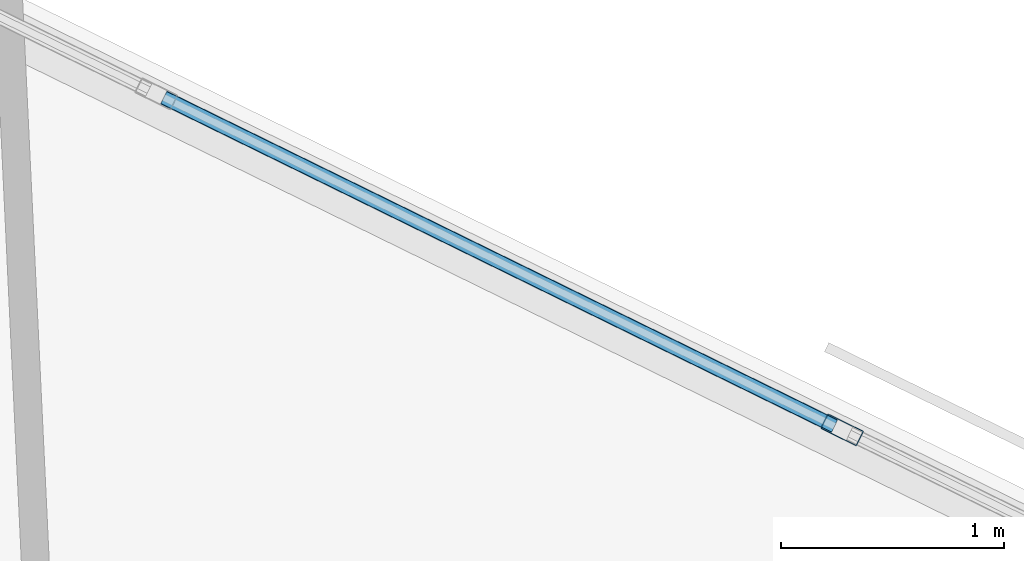
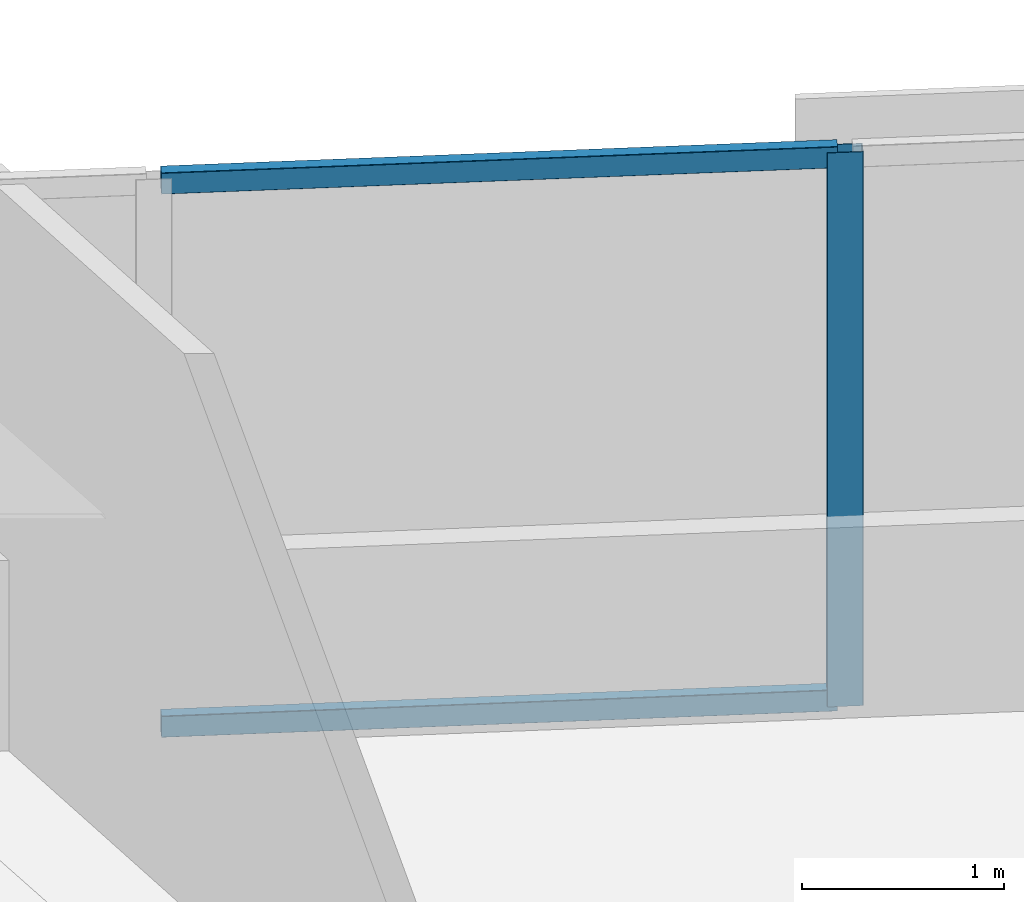
# One storey, part 11 of 18: 3 members, 1 element without a shape of its own.
"""IFC4 building model written with IfcOpenShell, lengths in metres."""

from ifc_helpers import new_model, si_unit, direction, frame, origin, origin_2d, place, context, subcontext, project, spatial, hollow_rectangle, extrude, material, material_profile, profile_set, type_object, element, aggregate, save


model = new_model("IFC4")

# Units and contexts
model_context = context("Model", 3, precision=1e-05, world=origin(), true_north=direction((0.0, 1.0)))
body_context = subcontext(model_context, "Body", "Model", "MODEL_VIEW")
ifc_project = project(units=[si_unit("LENGTHUNIT", "METRE"), si_unit("AREAUNIT", "SQUARE_METRE"), si_unit("VOLUMEUNIT", "CUBIC_METRE"), si_unit("PLANEANGLEUNIT", "RADIAN"), si_unit("MASSUNIT", "GRAM", prefix="KILO")], contexts=[model_context])

# Site, building, storey
site_placement = place(None, origin())
site = spatial("IfcSite", under=ifc_project, at=site_placement, CompositionType="ELEMENT")
building_placement = place(site_placement, origin())
building = spatial("IfcBuilding", under=site, at=building_placement, Name="Narakoshi Arena Tower", CompositionType="ELEMENT")
storey_placement = place(building_placement, frame((0.0, 0.0, 106.5)))
storey = spatial("IfcBuildingStorey", under=building, at=storey_placement, Name="L28", CompositionType="ELEMENT", Elevation=106.5)

# Curtain wall, members
ifc_material = material(Name="Anodised bronze aluminium 6063-T6", Category="aluminium")
curtain_wall_type = type_object("IfcCurtainWallType", Name="CW-HYP-LOW", PredefinedType="NOTDEFINED", material=ifc_material)
curtain_wall_placement = place(storey_placement, origin())
curtain_wall = element("IfcCurtainWall", 1, at=curtain_wall_placement, inside=storey, type_object=curtain_wall_type, Name="L28 Folded Hypotenuse Curtain Wall 2-1", PredefinedType="NOTDEFINED")
ifc_material_profile_1 = material_profile(ifc_material, hollow_rectangle(XDim=0.074951171875, YDim=0.179931640625, WallThickness=0.00390625, OuterFilletRadius=0.0048828125, at=origin_2d()), Name="MUL180x75x4")
ifc_profile_set_1 = profile_set([ifc_material_profile_1], Name="Anodised bronze aluminium 6063-T6")
member_type_1 = type_object("IfcMemberType", Name="MEM-MUL-180", PredefinedType="MULLION", material=ifc_profile_set_1)
member_1_placement = place(storey_placement, frame((81.486083984375, 65.51025390625, 0.0), z_axis=(0.0, 0.0, 1.0), x_axis=(-0.440004510198, -0.89799556291, 0.0)))
member_1 = element("IfcMember", 2, at=member_1_placement, type_object=member_type_1, Name="CW-01 mullion 3", PredefinedType="MULLION", context=body_context, shape_type="SweptSolid", body=[
    extrude(hollow_rectangle(XDim=0.074951171875, YDim=0.179931640625, WallThickness=0.00390625, OuterFilletRadius=0.0048828125, at=origin_2d()), origin(), (0.0, 0.0, 1.0), 3.340087890625),
])
ifc_material_profile_2 = material_profile(ifc_material, hollow_rectangle(XDim=0.06494140625, YDim=0.1298828125, WallThickness=0.00390625, OuterFilletRadius=0.0048828125, at=origin_2d()), Name="TRN130x65x4")
ifc_profile_set_2 = profile_set([ifc_material_profile_2], Name="Anodised bronze aluminium 6063-T6")
member_type_2 = type_object("IfcMemberType", Name="MEM-TRN-130", PredefinedType="USERDEFINED", material=ifc_profile_set_2)
member_2_placement = place(storey_placement, frame((81.452392578125, 65.52685546875, 0.032470703125), z_axis=(-0.898000963691, 0.439993487691, 0.0), x_axis=(-0.439993487691, -0.898000963691, 0.0)))
member_2 = element("IfcMember", 3, at=member_2_placement, type_object=member_type_2, Name="CW-01 transom 3.1", ObjectType="TRANSOM", PredefinedType="USERDEFINED", context=body_context, shape_type="SweptSolid", body=[
    extrude(hollow_rectangle(XDim=0.06494140625, YDim=0.1298828125, WallThickness=0.00390625, OuterFilletRadius=0.0048828125, at=origin_2d()), origin(), (0.0, 0.0, 1.0), 3.34765625),
])
member_3_placement = place(storey_placement, frame((81.452392578125, 65.52685546875, 3.3076171875), z_axis=(-0.898000963691, 0.439993487691, 0.0), x_axis=(-0.439993487691, -0.898000963691, 0.0)))
member_3 = element("IfcMember", 4, at=member_3_placement, type_object=member_type_2, Name="CW-01 transom 3.2", ObjectType="TRANSOM", PredefinedType="USERDEFINED", context=body_context, shape_type="SweptSolid", body=[
    extrude(hollow_rectangle(XDim=0.06494140625, YDim=0.1298828125, WallThickness=0.00390625, OuterFilletRadius=0.0048828125, at=origin_2d()), origin(), (0.0, 0.0, 1.0), 3.34765625),
])
aggregate(curtain_wall, [member_1, member_2, member_3])

save(model, "model.ifc")
